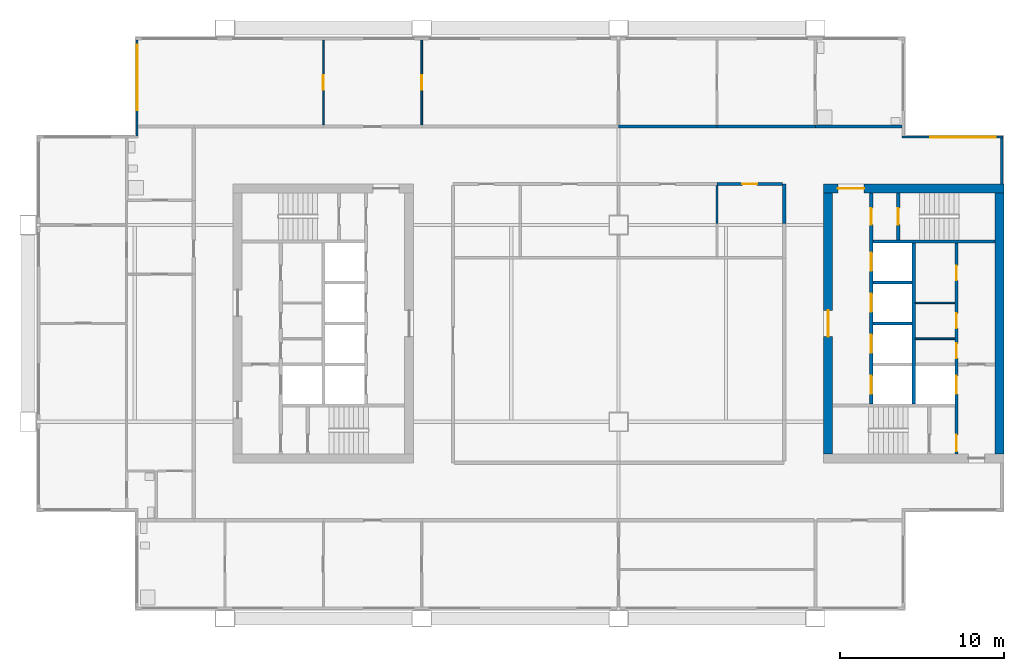
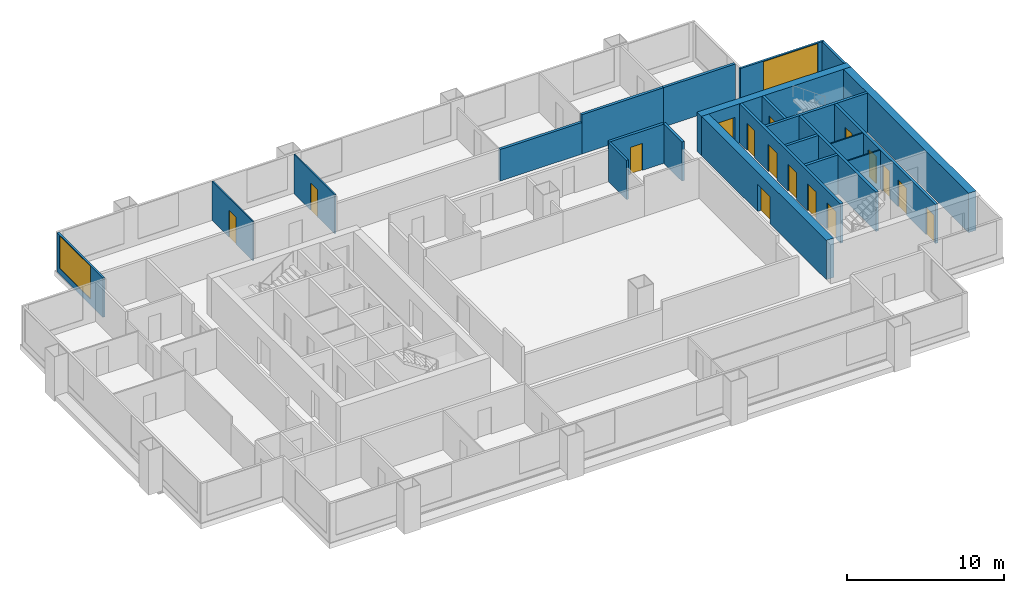
# One storey, part 5 of 8: 23 walls, 16 doors, 2 windows, 18 openings.
"""IFC4 building model written with IfcOpenShell, lengths in metres."""

from ifc_helpers import new_model, si_unit, direction, frame, frame_2d, origin, place, context, subcontext, project, spatial, rectangle, extrude, material, layer, layer_set, type_object, element, fill, save


model = new_model("IFC4")

# Units and contexts
model_context = context("Model", 3, precision=1e-05, world=origin(), true_north=direction((0.0, 1.0)))
body_context = subcontext(model_context, "Body", "Model", "MODEL_VIEW")
ifc_project = project(units=[si_unit("LENGTHUNIT", "METRE"), si_unit("AREAUNIT", "SQUARE_METRE"), si_unit("VOLUMEUNIT", "CUBIC_METRE"), si_unit("PLANEANGLEUNIT", "RADIAN"), si_unit("MASSUNIT", "GRAM", prefix="KILO")], contexts=[model_context])

# Site, building, storey
site_placement = place(None, origin())
site = spatial("IfcSite", under=ifc_project, at=site_placement, CompositionType="ELEMENT")
building_placement = place(site_placement, origin())
building = spatial("IfcBuilding", under=site, at=building_placement, Name="Kitamizu Gate Tower and Museum", CompositionType="ELEMENT")
storey_placement = place(building_placement, frame((0.0, 0.0, 203.10009765625)))
storey = spatial("IfcBuildingStorey", under=building, at=storey_placement, Name="L54", CompositionType="ELEMENT", Elevation=203.10009765625)

# Wall, opening, door
ifc_material_1 = material(Name="Concrete Fc42", Category="concrete")
ifc_layer_1 = layer(ifc_material_1, 0.550048828125)
ifc_layer_set_1 = layer_set([ifc_layer_1], Name="Concrete Fc42")
wall_type_1 = type_object("IfcWallType", Name="Core wall 550", PredefinedType="SHEAR", material=ifc_layer_set_1)
wall_1_placement = place(storey_placement, frame((59.5, 38.22509765625, 0.0), z_axis=(0.0, 0.0, 1.0), x_axis=(-1.0, 0.0, 0.0)))
wall_1 = element("IfcWall", 1, at=wall_1_placement, inside=storey, type_object=wall_type_1, Name="Core wall EN", PredefinedType="SHEAR", context=body_context, shape_type="SweptSolid", body=[
    extrude(rectangle(XDim=11.0, YDim=0.550048828125, at=frame_2d((5.5, 0.0))), origin(), (0.0, 0.0, 1.0), 3.0498046875),
])
opening_1_placement = place(wall_1_placement, frame((8.52490234375, 0.0, 0.0)))
opening_1 = element("IfcOpeningElement", 2, at=opening_1_placement, cuts=wall_1, Name="Opening L54-045", PredefinedType="OPENING", context=body_context, shape_type="SweptSolid", body=[
    extrude(rectangle(XDim=1.60009765625, YDim=2.10009765625, at=frame_2d((0.800048828125, 1.050048828125))), frame((0.0, 0.28515625, 0.0), z_axis=(0.0, -1.0, 0.0), x_axis=(1.0, 0.0, 0.0)), (0.0, 0.0, 1.0), 0.570068359375),
])
ifc_material_2 = material(Name="Timber door set", Category="wood")
door_type_1 = type_object("IfcDoorType", Name="Entrance door 1600", OperationType="DOUBLE_DOOR_SINGLE_SWING", PredefinedType="DOOR", material=ifc_material_2)
door_1_placement = place(opening_1_placement, origin())
door_1 = element("IfcDoor", 3, at=door_1_placement, inside=storey, type_object=door_type_1, Name="Lobby door L54-045", OperationType="DOUBLE_DOOR_SINGLE_SWING", OverallHeight=2.10009765625, OverallWidth=1.60009765625, PredefinedType="DOOR", context=body_context, shape_type="SweptSolid", body=[
    extrude(rectangle(XDim=1.60009765625, YDim=2.10009765625, at=frame_2d((0.800048828125, 1.050048828125))), frame((0.0, 0.02490234375, 0.0), z_axis=(0.0, -1.0, 0.0), x_axis=(1.0, 0.0, 0.0)), (0.0, 0.0, 1.0), 0.050048828125),
])
fill(opening_1, door_1)

# Wall
wall_2_placement = place(storey_placement, frame((59.22509765625, 22.050048828125, 0.0), z_axis=(0.0, 0.0, 1.0), x_axis=(0.0, 1.0, 0.0)))
element("IfcWall", 4, at=wall_2_placement, inside=storey, type_object=wall_type_1, Name="Core wall EOUT", PredefinedType="SHEAR", context=body_context, shape_type="SweptSolid", body=[
    extrude(rectangle(XDim=15.89990234375, YDim=0.550048828125, at=frame_2d((7.949951171875, 0.0))), origin(), (0.0, 0.0, 1.0), 3.0498046875),
])

# Wall, opening, door
wall_3_placement = place(storey_placement, frame((48.77490234375, 22.050048828125, 0.0), z_axis=(0.0, 0.0, 1.0), x_axis=(0.0, 1.0, 0.0)))
wall_3 = element("IfcWall", 5, at=wall_3_placement, inside=storey, type_object=wall_type_1, Name="Core wall EARC", PredefinedType="SHEAR", context=body_context, shape_type="SweptSolid", body=[
    extrude(rectangle(XDim=15.89990234375, YDim=0.550048828125, at=frame_2d((7.949951171875, 0.0))), origin(), (0.0, 0.0, 1.0), 3.0498046875),
])
opening_2_placement = place(wall_3_placement, frame((7.14990234375, 0.0, 0.0)))
opening_2 = element("IfcOpeningElement", 6, at=opening_2_placement, cuts=wall_3, Name="Opening L54-046", PredefinedType="OPENING", context=body_context, shape_type="SweptSolid", body=[
    extrude(rectangle(XDim=1.60009765625, YDim=2.10009765625, at=frame_2d((0.800048828125, 1.050048828125))), frame((0.0, 0.28515625, 0.0), z_axis=(0.0, -1.0, 0.0), x_axis=(1.0, 0.0, 0.0)), (0.0, 0.0, 1.0), 0.570068359375),
])
door_2_placement = place(opening_2_placement, origin())
door_2 = element("IfcDoor", 7, at=door_2_placement, inside=storey, type_object=door_type_1, Name="Lobby door L54-046", OperationType="DOUBLE_DOOR_SINGLE_SWING", OverallHeight=2.10009765625, OverallWidth=1.60009765625, PredefinedType="DOOR", context=body_context, shape_type="SweptSolid", body=[
    extrude(rectangle(XDim=1.60009765625, YDim=2.10009765625, at=frame_2d((0.800048828125, 1.050048828125))), frame((0.0, 0.02490234375, 0.0), z_axis=(0.0, -1.0, 0.0), x_axis=(1.0, 0.0, 0.0)), (0.0, 0.0, 1.0), 0.050048828125),
])
fill(opening_2, door_2)

# Walls
ifc_material_3 = material(Name="Gypsum board on galvanised stud")
ifc_layer_2 = layer(ifc_material_3, 0.10009765625)
ifc_layer_set_2 = layer_set([ifc_layer_2], Name="Gypsum board on galvanised stud")
wall_type_2 = type_object("IfcWallType", Name="Partition 100", PredefinedType="PARTITIONING", material=ifc_layer_set_2)
for number, where, z_axis, x_axis, name in (
    (8, (56.5, 29.06005859375, 0.0), (0.0, 0.0, 1.0), (-1.0, 0.0, 0.0), "Partition EPF1"),
    (9, (56.5, 31.25, 0.0), (0.0, 0.0, 1.0), (-1.0, 0.0, 0.0), "Partition EPF2"),
):
    element("IfcWall", number, at=place(storey_placement, frame(where, z_axis=z_axis, x_axis=x_axis)), inside=storey, type_object=wall_type_2, Name=name, PredefinedType="PARTITIONING", context=body_context, shape_type="SweptSolid", body=[
        extrude(rectangle(XDim=2.39990234375, YDim=0.10009765625, at=frame_2d((1.199951171875, 0.0))), origin(), (0.0, 0.0, 1.0), 3.0498046875),
    ])

# Wall, opening, door
ifc_material_4 = material(Name="Gypsum board on galvanised stud")
ifc_layer_3 = layer(ifc_material_4, 0.10009765625)
ifc_layer_set_3 = layer_set([ifc_layer_3], Name="Gypsum board on galvanised stud")
wall_type_3 = type_object("IfcWallType", Name="Partition 100 NOT RATED", PredefinedType="PARTITIONING", material=ifc_layer_set_3)
wall_4_placement = place(storey_placement, frame((18.0, 42.10009765625, 0.0), z_axis=(0.0, 0.0, 1.0), x_axis=(0.0, 1.0, 0.0)))
wall_4 = element("IfcWall", 10, at=wall_4_placement, inside=storey, type_object=wall_type_3, Name="Partition L54-017", PredefinedType="PARTITIONING", context=body_context, shape_type="SweptSolid", body=[
    extrude(rectangle(XDim=5.179931640625, YDim=0.10009765625, at=frame_2d((2.58984375, 0.0))), origin(), (0.0, 0.0, 1.0), 3.0498046875),
])
opening_3_placement = place(wall_4_placement, frame((2.139892578125, 0.0, 0.0)))
opening_3 = element("IfcOpeningElement", 11, at=opening_3_placement, cuts=wall_4, Name="Opening L54-010", PredefinedType="OPENING", context=body_context, shape_type="SweptSolid", body=[
    extrude(rectangle(XDim=0.89990234375, YDim=2.10009765625, at=frame_2d((0.449951171875, 1.050048828125))), frame((0.0, 0.06005859375, 0.0), z_axis=(0.0, -1.0, 0.0), x_axis=(1.0, 0.0, 0.0)), (0.0, 0.0, 1.0), 0.1201171875),
])
ifc_material_5 = material(Name="Timber door set", Category="wood")
door_type_2 = type_object("IfcDoorType", Name="Room door 900", OperationType="NOTDEFINED", PredefinedType="DOOR", material=ifc_material_5)
door_3_placement = place(opening_3_placement, origin())
door_3 = element("IfcDoor", 12, at=door_3_placement, inside=storey, type_object=door_type_2, Name="Door L54-010", OperationType="SINGLE_SWING_LEFT", OverallHeight=2.10009765625, OverallWidth=0.89990234375, PredefinedType="DOOR", context=body_context, shape_type="SweptSolid", body=[
    extrude(rectangle(XDim=0.89990234375, YDim=2.10009765625, at=frame_2d((0.449951171875, 1.050048828125))), frame((0.0, 0.02490234375, 0.0), z_axis=(0.0, -1.0, 0.0), x_axis=(1.0, 0.0, 0.0)), (0.0, 0.0, 1.0), 0.050048828125),
])
fill(opening_3, door_3)

wall_5_placement = place(storey_placement, frame((24.0, 42.10009765625, 0.0), z_axis=(0.0, 0.0, 1.0), x_axis=(0.0, 1.0, 0.0)))
wall_5 = element("IfcWall", 13, at=wall_5_placement, inside=storey, type_object=wall_type_3, Name="Partition L54-020", PredefinedType="PARTITIONING", context=body_context, shape_type="SweptSolid", body=[
    extrude(rectangle(XDim=5.179931640625, YDim=0.10009765625, at=frame_2d((2.58984375, 0.0))), origin(), (0.0, 0.0, 1.0), 3.0498046875),
])
opening_4_placement = place(wall_5_placement, frame((2.139892578125, 0.0, 0.0)))
opening_4 = element("IfcOpeningElement", 14, at=opening_4_placement, cuts=wall_5, Name="Opening L54-008", PredefinedType="OPENING", context=body_context, shape_type="SweptSolid", body=[
    extrude(rectangle(XDim=0.89990234375, YDim=2.10009765625, at=frame_2d((0.449951171875, 1.050048828125))), frame((0.0, 0.06005859375, 0.0), z_axis=(0.0, -1.0, 0.0), x_axis=(1.0, 0.0, 0.0)), (0.0, 0.0, 1.0), 0.1201171875),
])
door_4_placement = place(opening_4_placement, frame((0.89990234375, 0.0, 0.0), x_axis=(-1.0, 0.0, 0.0)))
door_4 = element("IfcDoor", 15, at=door_4_placement, inside=storey, type_object=door_type_2, Name="Door L54-008", OperationType="SINGLE_SWING_RIGHT", OverallHeight=2.10009765625, OverallWidth=0.89990234375, PredefinedType="DOOR", context=body_context, shape_type="SweptSolid", body=[
    extrude(rectangle(XDim=0.89990234375, YDim=2.10009765625, at=frame_2d((0.449951171875, 1.050048828125))), frame((0.0, 0.02490234375, 0.0), z_axis=(0.0, -1.0, 0.0), x_axis=(1.0, 0.0, 0.0)), (0.0, 0.0, 1.0), 0.050048828125),
])
fill(opening_4, door_4)

# Walls
ifc_material_6 = material(Name="Gypsum board on galvanised stud")
ifc_layer_4 = layer(ifc_material_6, 0.14990234375)
ifc_layer_set_4 = layer_set([ifc_layer_4], Name="Gypsum board on galvanised stud")
wall_type_4 = type_object("IfcWallType", Name="Partition 150", PredefinedType="PARTITIONING", material=ifc_layer_set_4)
wall_6_placement = place(storey_placement, frame((42.0, 36.10009765625, 0.0), z_axis=(0.0, 0.0, 1.0), x_axis=(0.0, 1.0, 0.0)))
element("IfcWall", 16, at=wall_6_placement, inside=storey, type_object=wall_type_4, Name="Partition L54-072", PredefinedType="PARTITIONING", context=body_context, shape_type="SweptSolid", body=[
    extrude(rectangle(XDim=2.2998046875, YDim=0.14990234375, at=frame_2d((1.14990234375, 0.0))), origin(), (0.0, 0.0, 1.0), 3.0498046875),
])
ifc_material_7 = material(Name="Gypsum board on galvanised stud")
ifc_layer_5 = layer(ifc_material_7, 0.199951171875)
ifc_layer_set_5 = layer_set([ifc_layer_5], Name="Gypsum board on galvanised stud")
wall_type_5 = type_object("IfcWallType", Name="Partition 200", PredefinedType="PARTITIONING", material=ifc_layer_set_5)
wall_7_placement = place(storey_placement, frame((36.0, 42.0, 0.0), z_axis=(0.0, 0.0, 1.0), x_axis=(1.0, 0.0, 0.0)))
element("IfcWall", 17, at=wall_7_placement, inside=storey, type_object=wall_type_5, Name="Partition L54-025", PredefinedType="PARTITIONING", context=body_context, shape_type="SweptSolid", body=[
    extrude(rectangle(XDim=6.0, YDim=0.199951171875, at=frame_2d((3.0, 0.0))), origin(), (0.0, 0.0, 1.0), 2.449951171875),
])
wall_8_placement = place(storey_placement, frame((42.0, 42.0, 0.0), z_axis=(0.0, 0.0, 1.0), x_axis=(1.0, 0.0, 0.0)))
element("IfcWall", 18, at=wall_8_placement, inside=storey, type_object=wall_type_5, Name="Partition L54-027", PredefinedType="PARTITIONING", context=body_context, shape_type="SweptSolid", body=[
    extrude(rectangle(XDim=6.0, YDim=0.199951171875, at=frame_2d((3.0, 0.0))), origin(), (0.0, 0.0, 1.0), 3.0498046875),
])
wall_9_placement = place(storey_placement, frame((48.0, 42.0, 0.0), z_axis=(0.0, 0.0, 1.0), x_axis=(1.0, 0.0, 0.0)))
element("IfcWall", 19, at=wall_9_placement, inside=storey, type_object=wall_type_5, Name="Partition L54-028", PredefinedType="PARTITIONING", context=body_context, shape_type="SweptSolid", body=[
    extrude(rectangle(XDim=5.280029296875, YDim=0.199951171875, at=frame_2d((2.64013671875, 0.0))), origin(), (0.0, 0.0, 1.0), 3.0498046875),
])
wall_10_placement = place(storey_placement, frame((46.10009765625, 36.10009765625, 0.0), z_axis=(0.0, 0.0, 1.0), x_axis=(0.0, 1.0, 0.0)))
element("IfcWall", 20, at=wall_10_placement, inside=storey, type_object=wall_type_5, Name="Partition L54-061", PredefinedType="PARTITIONING", context=body_context, shape_type="SweptSolid", body=[
    extrude(rectangle(XDim=2.39990234375, YDim=0.199951171875, at=frame_2d((1.199951171875, 0.0))), origin(), (0.0, 0.0, 1.0), 3.0498046875),
])

# Wall, opening, door
wall_11_placement = place(storey_placement, frame((46.0, 38.5, 0.0), z_axis=(0.0, 0.0, 1.0), x_axis=(-1.0, 0.0, 0.0)))
wall_11 = element("IfcWall", 21, at=wall_11_placement, inside=storey, type_object=wall_type_5, Name="Partition L54-062", PredefinedType="PARTITIONING", context=body_context, shape_type="SweptSolid", body=[
    extrude(rectangle(XDim=4.0, YDim=0.199951171875, at=frame_2d((2.0, 0.0))), origin(), (0.0, 0.0, 1.0), 3.0498046875),
])
opening_5_placement = place(wall_11_placement, frame((1.550048828125, 0.0, 0.0)))
opening_5 = element("IfcOpeningElement", 22, at=opening_5_placement, cuts=wall_11, Name="Opening L54-026", PredefinedType="OPENING", context=body_context, shape_type="SweptSolid", body=[
    extrude(rectangle(XDim=0.89990234375, YDim=2.10009765625, at=frame_2d((0.449951171875, 1.050048828125))), frame((0.0, 0.10986328125, 0.0), z_axis=(0.0, -1.0, 0.0), x_axis=(1.0, 0.0, 0.0)), (0.0, 0.0, 1.0), 0.219970703125),
])
door_5_placement = place(opening_5_placement, origin())
door_5 = element("IfcDoor", 23, at=door_5_placement, inside=storey, type_object=door_type_2, Name="Door L54-026", OperationType="SINGLE_SWING_RIGHT", OverallHeight=2.10009765625, OverallWidth=0.89990234375, PredefinedType="DOOR", context=body_context, shape_type="SweptSolid", body=[
    extrude(rectangle(XDim=0.89990234375, YDim=2.10009765625, at=frame_2d((0.449951171875, 1.050048828125))), frame((0.0, 0.02490234375, 0.0), z_axis=(0.0, -1.0, 0.0), x_axis=(1.0, 0.0, 0.0)), (0.0, 0.0, 1.0), 0.050048828125),
])
fill(opening_5, door_5)

# Wall, openings, doors
ifc_material_8 = material(Name="Concrete Fc42", Category="concrete")
ifc_layer_6 = layer(ifc_material_8, 0.199951171875)
ifc_layer_set_6 = layer_set([ifc_layer_6], Name="Concrete Fc42")
wall_type_6 = type_object("IfcWallType", Name="Shaft wall 200", PredefinedType="SOLIDWALL", material=ifc_layer_set_6)
wall_12_placement = place(storey_placement, frame((56.60009765625, 22.050048828125, 0.0), z_axis=(0.0, 0.0, 1.0), x_axis=(0.0, 1.0, 0.0)))
wall_12 = element("IfcWall", 24, at=wall_12_placement, inside=storey, type_object=wall_type_6, Name="Shaft wall EWEST", PredefinedType="SOLIDWALL", context=body_context, shape_type="SweptSolid", body=[
    extrude(rectangle(XDim=12.849853515625, YDim=0.199951171875, at=frame_2d((6.4248046875, 0.0))), origin(), (0.0, 0.0, 1.0), 3.0498046875),
])
opening_6_placement = place(wall_12_placement, frame((3.64990234375, 0.0, 0.0)))
opening_6 = element("IfcOpeningElement", 25, at=opening_6_placement, cuts=wall_12, Name="Opening LD", PredefinedType="OPENING", context=body_context, shape_type="SweptSolid", body=[
    extrude(rectangle(XDim=1.10009765625, YDim=2.10009765625, at=frame_2d((0.550048828125, 1.050048828125))), frame((0.0, 0.10986328125, 0.0), z_axis=(0.0, -1.0, 0.0), x_axis=(1.0, 0.0, 0.0)), (0.0, 0.0, 1.0), 0.219970703125),
])
opening_7_placement = place(wall_12_placement, frame((0.14990234375, 0.0, 0.0)))
opening_7 = element("IfcOpeningElement", 26, at=opening_7_placement, cuts=wall_12, Name="Opening L54-040", PredefinedType="OPENING", context=body_context, shape_type="SweptSolid", body=[
    extrude(rectangle(XDim=1.0, YDim=2.10009765625, at=frame_2d((0.5, 1.050048828125))), frame((0.0, 0.10986328125, 0.0), z_axis=(0.0, -1.0, 0.0), x_axis=(1.0, 0.0, 0.0)), (0.0, 0.0, 1.0), 0.219970703125),
])
opening_8_placement = place(wall_12_placement, frame((5.830078125, 0.0, 0.0)))
opening_8 = element("IfcOpeningElement", 27, at=opening_8_placement, cuts=wall_12, Name="Opening L54-047", PredefinedType="OPENING", context=body_context, shape_type="SweptSolid", body=[
    extrude(rectangle(XDim=0.89990234375, YDim=2.10009765625, at=frame_2d((0.449951171875, 1.050048828125))), frame((0.0, 0.10986328125, 0.0), z_axis=(0.0, -1.0, 0.0), x_axis=(1.0, 0.0, 0.0)), (0.0, 0.0, 1.0), 0.219970703125),
])
opening_9_placement = place(wall_12_placement, frame((7.655029296875, 0.0, 0.0)))
opening_9 = element("IfcOpeningElement", 28, at=opening_9_placement, cuts=wall_12, Name="Opening L54-048", PredefinedType="OPENING", context=body_context, shape_type="SweptSolid", body=[
    extrude(rectangle(XDim=0.89990234375, YDim=2.10009765625, at=frame_2d((0.449951171875, 1.050048828125))), frame((0.0, 0.10986328125, 0.0), z_axis=(0.0, -1.0, 0.0), x_axis=(1.0, 0.0, 0.0)), (0.0, 0.0, 1.0), 0.219970703125),
])
opening_10_placement = place(wall_12_placement, frame((10.574951171875, 0.0, 0.0)))
opening_10 = element("IfcOpeningElement", 29, at=opening_10_placement, cuts=wall_12, Name="Opening L54-049", PredefinedType="OPENING", context=body_context, shape_type="SweptSolid", body=[
    extrude(rectangle(XDim=0.89990234375, YDim=2.10009765625, at=frame_2d((0.449951171875, 1.050048828125))), frame((0.0, 0.10986328125, 0.0), z_axis=(0.0, -1.0, 0.0), x_axis=(1.0, 0.0, 0.0)), (0.0, 0.0, 1.0), 0.219970703125),
])
ifc_material_9 = material(Name="Hollow metal door set")
door_type_3 = type_object("IfcDoorType", Name="Fire door 1000", OperationType="NOTDEFINED", PredefinedType="DOOR", material=ifc_material_9)
door_6_placement = place(opening_7_placement, origin())
door_6 = element("IfcDoor", 30, at=door_6_placement, inside=storey, type_object=door_type_3, Name="Stair lobby door L54-040", OperationType="SINGLE_SWING_RIGHT", OverallHeight=2.10009765625, OverallWidth=1.0, PredefinedType="DOOR", context=body_context, shape_type="SweptSolid", body=[
    extrude(rectangle(XDim=1.0, YDim=2.10009765625, at=frame_2d((0.5, 1.050048828125))), frame((0.0, 0.02490234375, 0.0), z_axis=(0.0, -1.0, 0.0), x_axis=(1.0, 0.0, 0.0)), (0.0, 0.0, 1.0), 0.050048828125),
])
fill(opening_7, door_6)
ifc_material_10 = material(Name="Hollow metal door set")
door_type_4 = type_object("IfcDoorType", Name="Landing door 1100", OperationType="SLIDING_TO_LEFT", PredefinedType="DOOR", material=ifc_material_10)
door_7_placement = place(opening_6_placement, origin())
door_7 = element("IfcDoor", 31, at=door_7_placement, inside=storey, type_object=door_type_4, Name="Landing door EFF1", OperationType="SLIDING_TO_LEFT", OverallHeight=2.10009765625, OverallWidth=1.10009765625, PredefinedType="DOOR", context=body_context, shape_type="SweptSolid", body=[
    extrude(rectangle(XDim=1.10009765625, YDim=2.10009765625, at=frame_2d((0.550048828125, 1.050048828125))), frame((0.0, 0.02490234375, 0.0), z_axis=(0.0, -1.0, 0.0), x_axis=(1.0, 0.0, 0.0)), (0.0, 0.0, 1.0), 0.050048828125),
])
fill(opening_6, door_7)
ifc_material_11 = material(Name="Timber door set", Category="wood")
door_type_5 = type_object("IfcDoorType", Name="Service door 900", OperationType="NOTDEFINED", PredefinedType="DOOR", material=ifc_material_11)
door_8_placement = place(opening_8_placement, origin())
door_8 = element("IfcDoor", 32, at=door_8_placement, inside=storey, type_object=door_type_5, Name="Service door L54-047", OperationType="SINGLE_SWING_RIGHT", OverallHeight=2.10009765625, OverallWidth=0.89990234375, PredefinedType="DOOR", context=body_context, shape_type="SweptSolid", body=[
    extrude(rectangle(XDim=0.89990234375, YDim=2.10009765625, at=frame_2d((0.449951171875, 1.050048828125))), frame((0.0, 0.02490234375, 0.0), z_axis=(0.0, -1.0, 0.0), x_axis=(1.0, 0.0, 0.0)), (0.0, 0.0, 1.0), 0.050048828125),
])
fill(opening_8, door_8)
door_9_placement = place(opening_9_placement, origin())
door_9 = element("IfcDoor", 33, at=door_9_placement, inside=storey, type_object=door_type_5, Name="Service door L54-048", OperationType="SINGLE_SWING_LEFT", OverallHeight=2.10009765625, OverallWidth=0.89990234375, PredefinedType="DOOR", context=body_context, shape_type="SweptSolid", body=[
    extrude(rectangle(XDim=0.89990234375, YDim=2.10009765625, at=frame_2d((0.449951171875, 1.050048828125))), frame((0.0, 0.02490234375, 0.0), z_axis=(0.0, -1.0, 0.0), x_axis=(1.0, 0.0, 0.0)), (0.0, 0.0, 1.0), 0.050048828125),
])
fill(opening_9, door_9)
door_10_placement = place(opening_10_placement, origin())
door_10 = element("IfcDoor", 34, at=door_10_placement, inside=storey, type_object=door_type_5, Name="Service door L54-049", OperationType="SINGLE_SWING_RIGHT", OverallHeight=2.10009765625, OverallWidth=0.89990234375, PredefinedType="DOOR", context=body_context, shape_type="SweptSolid", body=[
    extrude(rectangle(XDim=0.89990234375, YDim=2.10009765625, at=frame_2d((0.449951171875, 1.050048828125))), frame((0.0, 0.02490234375, 0.0), z_axis=(0.0, -1.0, 0.0), x_axis=(1.0, 0.0, 0.0)), (0.0, 0.0, 1.0), 0.050048828125),
])
fill(opening_10, door_10)

wall_13_placement = place(storey_placement, frame((51.39990234375, 25.10009765625, 0.0), z_axis=(0.0, 0.0, 1.0), x_axis=(0.0, 1.0, 0.0)))
wall_13 = element("IfcWall", 35, at=wall_13_placement, inside=storey, type_object=wall_type_6, Name="Shaft wall EEAST", PredefinedType="SOLIDWALL", context=body_context, shape_type="SweptSolid", body=[
    extrude(rectangle(XDim=12.849853515625, YDim=0.199951171875, at=frame_2d((6.4248046875, 0.0))), origin(), (0.0, 0.0, 1.0), 3.0498046875),
])
opening_11_placement = place(wall_13_placement, frame((0.60009765625, 0.0, 0.0)))
opening_11 = element("IfcOpeningElement", 36, at=opening_11_placement, cuts=wall_13, Name="Opening LD", PredefinedType="OPENING", context=body_context, shape_type="SweptSolid", body=[
    extrude(rectangle(XDim=1.10009765625, YDim=2.10009765625, at=frame_2d((0.550048828125, 1.050048828125))), frame((0.0, 0.10986328125, 0.0), z_axis=(0.0, -1.0, 0.0), x_axis=(1.0, 0.0, 0.0)), (0.0, 0.0, 1.0), 0.219970703125),
])
opening_12_placement = place(wall_13_placement, frame((3.10009765625, 0.0, 0.0)))
opening_12 = element("IfcOpeningElement", 37, at=opening_12_placement, cuts=wall_13, Name="Opening LD", PredefinedType="OPENING", context=body_context, shape_type="SweptSolid", body=[
    extrude(rectangle(XDim=1.10009765625, YDim=2.10009765625, at=frame_2d((0.550048828125, 1.050048828125))), frame((0.0, 0.10986328125, 0.0), z_axis=(0.0, -1.0, 0.0), x_axis=(1.0, 0.0, 0.0)), (0.0, 0.0, 1.0), 0.219970703125),
])
opening_13_placement = place(wall_13_placement, frame((5.60009765625, 0.0, 0.0)))
opening_13 = element("IfcOpeningElement", 38, at=opening_13_placement, cuts=wall_13, Name="Opening LD", PredefinedType="OPENING", context=body_context, shape_type="SweptSolid", body=[
    extrude(rectangle(XDim=1.10009765625, YDim=2.10009765625, at=frame_2d((0.550048828125, 1.050048828125))), frame((0.0, 0.10986328125, 0.0), z_axis=(0.0, -1.0, 0.0), x_axis=(1.0, 0.0, 0.0)), (0.0, 0.0, 1.0), 0.219970703125),
])
opening_14_placement = place(wall_13_placement, frame((8.10009765625, 0.0, 0.0)))
opening_14 = element("IfcOpeningElement", 39, at=opening_14_placement, cuts=wall_13, Name="Opening LD", PredefinedType="OPENING", context=body_context, shape_type="SweptSolid", body=[
    extrude(rectangle(XDim=1.10009765625, YDim=2.10009765625, at=frame_2d((0.550048828125, 1.050048828125))), frame((0.0, 0.10986328125, 0.0), z_axis=(0.0, -1.0, 0.0), x_axis=(1.0, 0.0, 0.0)), (0.0, 0.0, 1.0), 0.219970703125),
])
opening_15_placement = place(wall_13_placement, frame((10.925048828125, 0.0, 0.0)))
opening_15 = element("IfcOpeningElement", 40, at=opening_15_placement, cuts=wall_13, Name="Opening L54-041", PredefinedType="OPENING", context=body_context, shape_type="SweptSolid", body=[
    extrude(rectangle(XDim=1.0, YDim=2.10009765625, at=frame_2d((0.5, 1.050048828125))), frame((0.0, 0.10986328125, 0.0), z_axis=(0.0, -1.0, 0.0), x_axis=(1.0, 0.0, 0.0)), (0.0, 0.0, 1.0), 0.219970703125),
])
door_11_placement = place(opening_15_placement, frame((1.0, 0.0, 0.0), x_axis=(-1.0, 0.0, 0.0)))
door_11 = element("IfcDoor", 41, at=door_11_placement, inside=storey, type_object=door_type_3, Name="Stair lobby door L54-041", OperationType="SINGLE_SWING_LEFT", OverallHeight=2.10009765625, OverallWidth=1.0, PredefinedType="DOOR", context=body_context, shape_type="SweptSolid", body=[
    extrude(rectangle(XDim=1.0, YDim=2.10009765625, at=frame_2d((0.5, 1.050048828125))), frame((0.0, 0.02490234375, 0.0), z_axis=(0.0, -1.0, 0.0), x_axis=(1.0, 0.0, 0.0)), (0.0, 0.0, 1.0), 0.050048828125),
])
fill(opening_15, door_11)
door_12_placement = place(opening_11_placement, origin())
door_12 = element("IfcDoor", 42, at=door_12_placement, inside=storey, type_object=door_type_4, Name="Landing door ESV1", OperationType="SLIDING_TO_LEFT", OverallHeight=2.10009765625, OverallWidth=1.10009765625, PredefinedType="DOOR", context=body_context, shape_type="SweptSolid", body=[
    extrude(rectangle(XDim=1.10009765625, YDim=2.10009765625, at=frame_2d((0.550048828125, 1.050048828125))), frame((0.0, 0.02490234375, 0.0), z_axis=(0.0, -1.0, 0.0), x_axis=(1.0, 0.0, 0.0)), (0.0, 0.0, 1.0), 0.050048828125),
])
fill(opening_11, door_12)
door_13_placement = place(opening_12_placement, origin())
door_13 = element("IfcDoor", 43, at=door_13_placement, inside=storey, type_object=door_type_4, Name="Landing door EH1", OperationType="SLIDING_TO_LEFT", OverallHeight=2.10009765625, OverallWidth=1.10009765625, PredefinedType="DOOR", context=body_context, shape_type="SweptSolid", body=[
    extrude(rectangle(XDim=1.10009765625, YDim=2.10009765625, at=frame_2d((0.550048828125, 1.050048828125))), frame((0.0, 0.02490234375, 0.0), z_axis=(0.0, -1.0, 0.0), x_axis=(1.0, 0.0, 0.0)), (0.0, 0.0, 1.0), 0.050048828125),
])
fill(opening_12, door_13)
door_14_placement = place(opening_13_placement, origin())
door_14 = element("IfcDoor", 44, at=door_14_placement, inside=storey, type_object=door_type_4, Name="Landing door EH2", OperationType="SLIDING_TO_LEFT", OverallHeight=2.10009765625, OverallWidth=1.10009765625, PredefinedType="DOOR", context=body_context, shape_type="SweptSolid", body=[
    extrude(rectangle(XDim=1.10009765625, YDim=2.10009765625, at=frame_2d((0.550048828125, 1.050048828125))), frame((0.0, 0.02490234375, 0.0), z_axis=(0.0, -1.0, 0.0), x_axis=(1.0, 0.0, 0.0)), (0.0, 0.0, 1.0), 0.050048828125),
])
fill(opening_13, door_14)
door_15_placement = place(opening_14_placement, origin())
door_15 = element("IfcDoor", 45, at=door_15_placement, inside=storey, type_object=door_type_4, Name="Landing door EH3", OperationType="SLIDING_TO_LEFT", OverallHeight=2.10009765625, OverallWidth=1.10009765625, PredefinedType="DOOR", context=body_context, shape_type="SweptSolid", body=[
    extrude(rectangle(XDim=1.10009765625, YDim=2.10009765625, at=frame_2d((0.550048828125, 1.050048828125))), frame((0.0, 0.02490234375, 0.0), z_axis=(0.0, -1.0, 0.0), x_axis=(1.0, 0.0, 0.0)), (0.0, 0.0, 1.0), 0.050048828125),
])
fill(opening_14, door_15)

# Walls
wall_14_placement = place(storey_placement, frame((54.0, 25.10009765625, 0.0), z_axis=(0.0, 0.0, 1.0), x_axis=(0.0, 1.0, 0.0)))
element("IfcWall", 46, at=wall_14_placement, inside=storey, type_object=wall_type_6, Name="Shaft wall EMID", PredefinedType="SOLIDWALL", context=body_context, shape_type="SweptSolid", body=[
    extrude(rectangle(XDim=9.7998046875, YDim=0.199951171875, at=frame_2d((4.89990234375, 0.0))), origin(), (0.0, 0.0, 1.0), 3.0498046875),
])
wall_15_placement = place(storey_placement, frame((58.949951171875, 35.0, 0.0), z_axis=(0.0, 0.0, 1.0), x_axis=(-1.0, 0.0, 0.0)))
element("IfcWall", 47, at=wall_15_placement, inside=storey, type_object=wall_type_6, Name="Shaft wall ENB", PredefinedType="SOLIDWALL", context=body_context, shape_type="SweptSolid", body=[
    extrude(rectangle(XDim=7.449951171875, YDim=0.199951171875, at=frame_2d((3.72509765625, 0.0))), origin(), (0.0, 0.0, 1.0), 3.0498046875),
])

# Wall, opening, door
wall_16_placement = place(storey_placement, frame((53.050048828125, 35.10009765625, 0.0), z_axis=(0.0, 0.0, 1.0), x_axis=(0.0, 1.0, 0.0)))
wall_16 = element("IfcWall", 48, at=wall_16_placement, inside=storey, type_object=wall_type_6, Name="Shaft wall ENZ", PredefinedType="SOLIDWALL", context=body_context, shape_type="SweptSolid", body=[
    extrude(rectangle(XDim=2.849853515625, YDim=0.199951171875, at=frame_2d((1.4248046875, 0.0))), origin(), (0.0, 0.0, 1.0), 3.0498046875),
])
opening_16_placement = place(wall_16_placement, frame((0.925048828125, 0.0, 0.0)))
opening_16 = element("IfcOpeningElement", 49, at=opening_16_placement, cuts=wall_16, Name="Opening L54-042", PredefinedType="OPENING", context=body_context, shape_type="SweptSolid", body=[
    extrude(rectangle(XDim=1.0, YDim=2.10009765625, at=frame_2d((0.5, 1.050048828125))), frame((0.0, 0.10986328125, 0.0), z_axis=(0.0, -1.0, 0.0), x_axis=(1.0, 0.0, 0.0)), (0.0, 0.0, 1.0), 0.219970703125),
])
door_16_placement = place(opening_16_placement, frame((1.0, 0.0, 0.0), x_axis=(-1.0, 0.0, 0.0)))
door_16 = element("IfcDoor", 50, at=door_16_placement, inside=storey, type_object=door_type_3, Name="Stair door L54-042", OperationType="SINGLE_SWING_RIGHT", OverallHeight=2.10009765625, OverallWidth=1.0, PredefinedType="DOOR", context=body_context, shape_type="SweptSolid", body=[
    extrude(rectangle(XDim=1.0, YDim=2.10009765625, at=frame_2d((0.5, 1.050048828125))), frame((0.0, 0.02490234375, 0.0), z_axis=(0.0, -1.0, 0.0), x_axis=(1.0, 0.0, 0.0)), (0.0, 0.0, 1.0), 0.050048828125),
])
fill(opening_16, door_16)

# Walls
for number, where, z_axis, x_axis, name in (
    (51, (53.89990234375, 30.0, 0.0), (0.0, 0.0, 1.0), (-1.0, 0.0, 0.0), "Shaft wall EDVE1"),
    (52, (53.89990234375, 32.5, 0.0), (0.0, 0.0, 1.0), (-1.0, 0.0, 0.0), "Shaft wall EDVE2"),
):
    element("IfcWall", number, at=place(storey_placement, frame(where, z_axis=z_axis, x_axis=x_axis)), inside=storey, type_object=wall_type_6, Name=name, PredefinedType="SOLIDWALL", context=body_context, shape_type="SweptSolid", body=[
        extrude(rectangle(XDim=2.39990234375, YDim=0.199951171875, at=frame_2d((1.199951171875, 0.0))), origin(), (0.0, 0.0, 1.0), 3.0498046875),
    ])
ifc_material_12 = material(Name="Bronze anodised aluminium frame with insulated spandrel and tinted glass", Category="aluminium")
ifc_layer_7 = layer(ifc_material_12, 0.14990234375)
ifc_layer_set_7 = layer_set([ifc_layer_7], Name="Bronze anodised aluminium frame with insulated spandrel and tinted glass")
wall_type_7 = type_object("IfcWallType", Name="WINDOW WALL 150 BRONZE FRAME EI 30", PredefinedType="ELEMENTEDWALL", material=ifc_layer_set_7)
wall_17_placement = place(storey_placement, frame((59.364990234375, 38.5, 0.0), z_axis=(0.0, 0.0, 1.0), x_axis=(0.0, 1.0, 0.0)))
element("IfcWall", 53, at=wall_17_placement, inside=storey, type_object=wall_type_7, Name="Window wall east L54", PredefinedType="ELEMENTEDWALL", context=body_context, shape_type="SweptSolid", body=[
    extrude(rectangle(XDim=2.7900390625, YDim=0.14990234375, at=frame_2d((1.39501953125, 0.0))), origin(), (0.0, 0.0, 1.0), 3.0498046875),
])

# Wall, opening, window
wall_18_placement = place(storey_placement, frame((53.2900390625, 41.364990234375, 0.0), z_axis=(0.0, 0.0, 1.0), x_axis=(1.0, 0.0, 0.0)))
wall_18 = element("IfcWall", 54, at=wall_18_placement, inside=storey, type_object=wall_type_7, Name="Window wall north L54", PredefinedType="ELEMENTEDWALL", context=body_context, shape_type="SweptSolid", body=[
    extrude(rectangle(XDim=6.14990234375, YDim=0.14990234375, at=frame_2d((3.074951171875, 0.0))), origin(), (0.0, 0.0, 1.0), 3.0498046875),
])
opening_17_placement = place(wall_18_placement, frame((1.7099609375, 0.0, 0.449951171875)))
opening_17 = element("IfcOpeningElement", 55, at=opening_17_placement, cuts=wall_18, Name="Opening W16", PredefinedType="OPENING", context=body_context, shape_type="SweptSolid", body=[
    extrude(rectangle(XDim=4.0, YDim=2.550048828125, at=frame_2d((2.0, 1.27490234375))), frame((0.0, 0.0849609375, 0.0), z_axis=(0.0, -1.0, 0.0), x_axis=(1.0, 0.0, 0.0)), (0.0, 0.0, 1.0), 0.169921875),
])
ifc_material_13 = material(Name="Bronze anodised aluminium frame, tinted triple glazing", Category="aluminium")
window_type = type_object("IfcWindowType", Name="WINDOW 4000 x 2550 SILL 450", PartitioningType="SINGLE_PANEL", PredefinedType="WINDOW", material=ifc_material_13)
window_1_placement = place(opening_17_placement, origin())
window_1 = element("IfcWindow", 56, at=window_1_placement, inside=storey, type_object=window_type, Name="Window W16 L54", OverallHeight=2.550048828125, OverallWidth=4.0, PartitioningType="SINGLE_PANEL", PredefinedType="WINDOW", context=body_context, shape_type="SweptSolid", body=[
    extrude(rectangle(XDim=4.0, YDim=2.550048828125, at=frame_2d((2.0, 1.27490234375))), frame((0.0, 0.030029296875, 0.0), z_axis=(0.0, -1.0, 0.0), x_axis=(1.0, 0.0, 0.0)), (0.0, 0.0, 1.0), 0.06005859375),
])
fill(opening_17, window_1)

wall_19_placement = place(storey_placement, frame((6.635009765625, 41.43994140625, 0.0), z_axis=(0.0, 0.0, 1.0), x_axis=(0.0, 1.0, 0.0)))
wall_19 = element("IfcWall", 57, at=wall_19_placement, inside=storey, type_object=wall_type_7, Name="Window wall west L54", PredefinedType="ELEMENTEDWALL", context=body_context, shape_type="SweptSolid", body=[
    extrude(rectangle(XDim=5.85009765625, YDim=0.14990234375, at=frame_2d((2.925048828125, 0.0))), origin(), (0.0, 0.0, 1.0), 3.0498046875),
])
opening_18_placement = place(wall_19_placement, frame((1.56005859375, 0.0, 0.449951171875)))
opening_18 = element("IfcOpeningElement", 58, at=opening_18_placement, cuts=wall_19, Name="Opening W16", PredefinedType="OPENING", context=body_context, shape_type="SweptSolid", body=[
    extrude(rectangle(XDim=4.0, YDim=2.550048828125, at=frame_2d((2.0, 1.27490234375))), frame((0.0, 0.0849609375, 0.0), z_axis=(0.0, -1.0, 0.0), x_axis=(1.0, 0.0, 0.0)), (0.0, 0.0, 1.0), 0.169921875),
])
window_2_placement = place(opening_18_placement, origin())
window_2 = element("IfcWindow", 59, at=window_2_placement, inside=storey, type_object=window_type, Name="Window W16 L54", OverallHeight=2.550048828125, OverallWidth=4.0, PartitioningType="SINGLE_PANEL", PredefinedType="WINDOW", context=body_context, shape_type="SweptSolid", body=[
    extrude(rectangle(XDim=4.0, YDim=2.550048828125, at=frame_2d((2.0, 1.27490234375))), frame((0.0, 0.030029296875, 0.0), z_axis=(0.0, -1.0, 0.0), x_axis=(1.0, 0.0, 0.0)), (0.0, 0.0, 1.0), 0.06005859375),
])
fill(opening_18, window_2)

save(model, "model.ifc")
